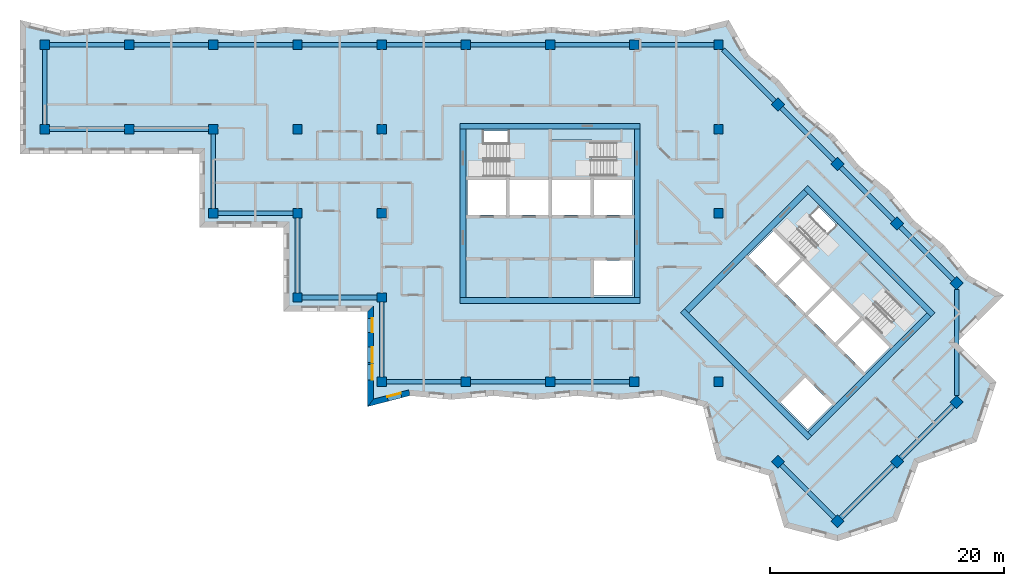
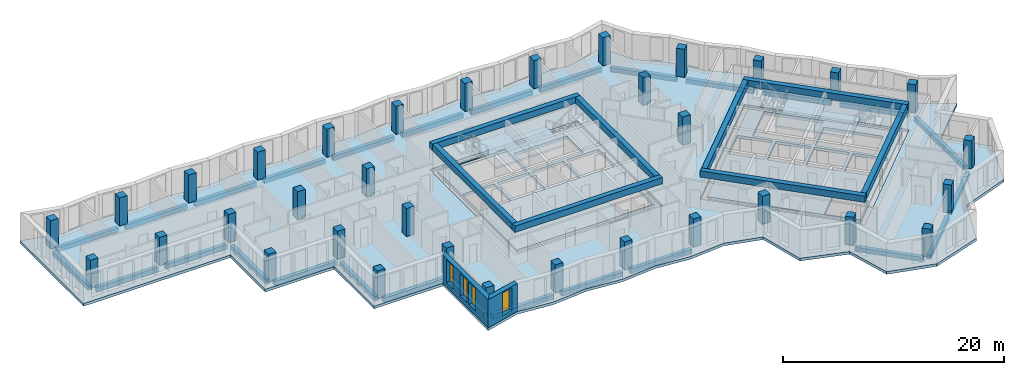
# One storey, part 1 of 11: 35 beams, 34 columns, 7 slabs, 4 windows, 2 walls, 20 openings, 4 elements without a shape of their own.
"""IFC4 building model written with IfcOpenShell, lengths in metres."""

from ifc_helpers import new_model, si_unit, direction, frame, frame_2d, origin, origin_2d, place, context, subcontext, project, spatial, polyline, rectangle, outline, extrude, material, layer, layer_set, material_profile, profile_set, type_object, element, fill, aggregate, save


model = new_model("IFC4")

# Units and contexts
model_context = context("Model", 3, precision=1e-05, world=origin(), true_north=direction((0.0, 1.0)))
body_context = subcontext(model_context, "Body", "Model", "MODEL_VIEW")
ifc_project = project(units=[si_unit("LENGTHUNIT", "METRE"), si_unit("AREAUNIT", "SQUARE_METRE"), si_unit("VOLUMEUNIT", "CUBIC_METRE"), si_unit("PLANEANGLEUNIT", "RADIAN"), si_unit("MASSUNIT", "GRAM", prefix="KILO")], contexts=[model_context])

# Site, building, storey
site_placement = place(None, origin())
site = spatial("IfcSite", under=ifc_project, at=site_placement, CompositionType="ELEMENT")
building_placement = place(site_placement, origin())
building = spatial("IfcBuilding", under=site, at=building_placement, Name="Windrow Commons", CompositionType="ELEMENT")
storey_placement = place(building_placement, frame((0.0, 0.0, 193.0)))
storey = spatial("IfcBuildingStorey", under=building, at=storey_placement, Name="L52", CompositionType="ELEMENT", Elevation=193.0)

# Columns
ifc_material_1 = material(Name="Concrete C50/60", Category="concrete")
ifc_material_profile_1 = material_profile(ifc_material_1, rectangle(XDim=0.8, YDim=0.8, at=origin_2d()))
ifc_profile_set_1 = profile_set([ifc_material_profile_1], Name="Concrete C50/60")
column_type = type_object("IfcColumnType", Name="RC COLUMN 800x800 C50/60", PredefinedType="COLUMN", material=ifc_profile_set_1)
for number, where, z_axis, x_axis, name in (
    (1, (21.6, 64.8, 0.0), (0.0, 0.0, 1.0), (1.0, 0.0, 0.0), "C-Z4-04I"),
    (2, (21.6, 72.0, 0.0), (0.0, 0.0, 1.0), (1.0, 0.0, 0.0), "C-Z4-04J"),
    (3, (28.8, 64.8, 0.0), (0.0, 0.0, 1.0), (1.0, 0.0, 0.0), "C-Z4-05I"),
    (4, (28.8, 72.0, 0.0), (0.0, 0.0, 1.0), (1.0, 0.0, 0.0), "C-Z4-05J"),
    (5, (36.0, 57.6, 0.0), (0.0, 0.0, 1.0), (1.0, 0.0, 0.0), "C-Z4-06H"),
    (6, (36.0, 64.8, 0.0), (0.0, 0.0, 1.0), (1.0, 0.0, 0.0), "C-Z4-06I"),
    (7, (36.0, 72.0, 0.0), (0.0, 0.0, 1.0), (1.0, 0.0, 0.0), "C-Z4-06J"),
    (8, (43.2, 50.4, 0.0), (0.0, 0.0, 1.0), (1.0, 0.0, 0.0), "C-Z4-07G"),
    (9, (43.2, 57.6, 0.0), (0.0, 0.0, 1.0), (1.0, 0.0, 0.0), "C-Z4-07H"),
    (10, (43.2, 64.8, 0.0), (0.0, 0.0, 1.0), (1.0, 0.0, 0.0), "C-Z4-07I"),
    (11, (43.2, 72.0, 0.0), (0.0, 0.0, 1.0), (1.0, 0.0, 0.0), "C-Z4-07J"),
    (12, (50.4, 43.2, 0.0), (0.0, 0.0, 1.0), (1.0, 0.0, 0.0), "C-Z4-08F"),
    (13, (50.4, 50.4, 0.0), (0.0, 0.0, 1.0), (1.0, 0.0, 0.0), "C-Z4-08G"),
    (14, (50.4, 57.6, 0.0), (0.0, 0.0, 1.0), (1.0, 0.0, 0.0), "C-Z4-08H"),
    (15, (50.4, 64.8, 0.0), (0.0, 0.0, 1.0), (1.0, 0.0, 0.0), "C-Z4-08I"),
    (16, (50.4, 72.0, 0.0), (0.0, 0.0, 1.0), (1.0, 0.0, 0.0), "C-Z4-08J"),
    (17, (57.6, 43.2, 0.0), (0.0, 0.0, 1.0), (1.0, 0.0, 0.0), "C-Z4-09F"),
    (18, (57.6, 72.0, 0.0), (0.0, 0.0, 1.0), (1.0, 0.0, 0.0), "C-Z4-09J"),
    (19, (64.8, 43.2, 0.0), (0.0, 0.0, 1.0), (1.0, 0.0, 0.0), "C-Z4-10F"),
    (20, (64.8, 72.0, 0.0), (0.0, 0.0, 1.0), (1.0, 0.0, 0.0), "C-Z4-10J"),
    (21, (72.0, 43.2, 0.0), (0.0, 0.0, 1.0), (1.0, 0.0, 0.0), "C-Z4-11F"),
    (22, (72.0, 72.0, 0.0), (0.0, 0.0, 1.0), (1.0, 0.0, 0.0), "C-Z4-11J"),
    (23, (79.2, 43.2, 0.0), (0.0, 0.0, 1.0), (1.0, 0.0, 0.0), "C-Z4-12F"),
    (24, (79.2, 57.6, 0.0), (0.0, 0.0, 1.0), (1.0, 0.0, 0.0), "C-Z4-12H"),
    (25, (79.2, 64.8, 0.0), (0.0, 0.0, 1.0), (1.0, 0.0, 0.0), "C-Z4-12I"),
    (26, (79.2, 72.0, 0.0), (0.0, 0.0, 1.0), (1.0, 0.0, 0.0), "C-Z4-12J"),
    (27, (84.2912, 66.9088, 0.0), (0.0, 0.0, 1.0), (0.7071067812, -0.7071067812, 0.0), "C-Z4-P2Q"),
    (28, (89.3823, 61.8177, 0.0), (0.0, 0.0, 1.0), (0.7071067812, -0.7071067812, 0.0), "C-Z4-P3Q"),
    (29, (94.4735, 56.7265, 0.0), (0.0, 0.0, 1.0), (0.7071067812, -0.7071067812, 0.0), "C-Z4-P4Q"),
    (30, (99.5647, 51.6353, 0.0), (0.0, 0.0, 1.0), (0.7071067812, -0.7071067812, 0.0), "C-Z4-P5Q"),
    (31, (84.2912, 36.3618, 0.0), (0.0, 0.0, 1.0), (0.7071067812, -0.7071067812, 0.0), "C-Z4-P5T"),
    (32, (99.5647, 41.453, 0.0), (0.0, 0.0, 1.0), (0.7071067812, -0.7071067812, 0.0), "C-Z4-P6R"),
    (33, (94.4735, 36.3618, 0.0), (0.0, 0.0, 1.0), (0.7071067812, -0.7071067812, 0.0), "C-Z4-P6S"),
    (34, (89.3823, 31.2706, 0.0), (0.0, 0.0, 1.0), (0.7071067812, -0.7071067812, 0.0), "C-Z4-P6T"),
):
    element("IfcColumn", number, at=place(storey_placement, frame(where, z_axis=z_axis, x_axis=x_axis)), inside=storey, type_object=column_type, Name=name, PredefinedType="COLUMN", context=body_context, shape_type="SweptSolid", body=[
        extrude(rectangle(XDim=0.8, YDim=0.8, at=origin_2d()), origin(), (0.0, 0.0, 1.0), 3.1),
    ])

# Beams
ifc_material_2 = material(Name="Concrete C40/50", Category="concrete")
ifc_material_profile_2 = material_profile(ifc_material_2, rectangle(XDim=0.5, YDim=0.7, at=origin_2d()))
ifc_profile_set_2 = profile_set([ifc_material_profile_2], Name="Concrete C40/50")
beam_type_1 = type_object("IfcBeamType", Name="RC COUPLING BEAM 500x700 C40/50", PredefinedType="LINTEL", material=ifc_profile_set_2)
for number, where, z_axis, x_axis, name in (
    (35, (57.1, 50.15, 2.75), (1.0, 0.0, 0.0), (0.0, 1.0, 0.0), "Core A coupling beam outer-S"),
    (36, (57.1, 65.05, 2.75), (1.0, 0.0, 0.0), (0.0, 1.0, 0.0), "Core A coupling beam outer-N"),
):
    element("IfcBeam", number, at=place(storey_placement, frame(where, z_axis=z_axis, x_axis=x_axis)), inside=storey, type_object=beam_type_1, Name=name, PredefinedType="LINTEL", context=body_context, shape_type="SweptSolid", body=[
        extrude(rectangle(XDim=0.5, YDim=0.7, at=origin_2d()), origin(), (0.0, 0.0, 1.0), 15.4),
    ])
for number, where, z_axis, x_axis, name in (
    (37, (57.35, 50.4, 2.75), (0.0, 1.0, 0.0), (-1.0, 0.0, 0.0), "Core A coupling beam outer-W"),
    (38, (72.25, 50.4, 2.75), (0.0, 1.0, 0.0), (-1.0, 0.0, 0.0), "Core A coupling beam outer-E"),
):
    element("IfcBeam", number, at=place(storey_placement, frame(where, z_axis=z_axis, x_axis=x_axis)), inside=storey, type_object=beam_type_1, Name=name, PredefinedType="LINTEL", context=body_context, shape_type="SweptSolid", body=[
        extrude(rectangle(XDim=0.5, YDim=0.7, at=origin_2d()), origin(), (0.0, 0.0, 1.0), 14.4),
    ])
for number, where, z_axis, x_axis, name in (
    (39, (76.1241, 49.2665, 2.75), (0.7071067812, -0.7071067812, 0.0), (0.7071067812, 0.7071067812, 0.0), "Core B coupling beam outer-S"),
    (40, (86.66, 59.8024, 2.75), (0.7071067812, -0.7071067812, 0.0), (0.7071067812, 0.7071067812, 0.0), "Core B coupling beam outer-N"),
):
    element("IfcBeam", number, at=place(storey_placement, frame(where, z_axis=z_axis, x_axis=x_axis)), inside=storey, type_object=beam_type_1, Name=name, PredefinedType="LINTEL", context=body_context, shape_type="SweptSolid", body=[
        extrude(rectangle(XDim=0.5, YDim=0.7, at=origin_2d()), origin(), (0.0, 0.0, 1.0), 15.3999),
    ])
for number, where, z_axis, x_axis, name in (
    (41, (76.4776, 49.2665, 2.75), (0.7071067812, 0.7071067812, 0.0), (-0.7071067812, 0.7071067812, 0.0), "Core B coupling beam outer-W"),
    (42, (87.0135, 38.7306, 2.75), (0.7071067812, 0.7071067812, 0.0), (-0.7071067812, 0.7071067812, 0.0), "Core B coupling beam outer-E"),
):
    element("IfcBeam", number, at=place(storey_placement, frame(where, z_axis=z_axis, x_axis=x_axis)), inside=storey, type_object=beam_type_1, Name=name, PredefinedType="LINTEL", context=body_context, shape_type="SweptSolid", body=[
        extrude(rectangle(XDim=0.5, YDim=0.7, at=origin_2d()), origin(), (0.0, 0.0, 1.0), 14.4001),
    ])
ifc_material_3 = material(Name="Concrete C40/50", Category="concrete")
ifc_material_profile_3 = material_profile(ifc_material_3, rectangle(XDim=0.4, YDim=0.5, at=origin_2d()))
ifc_profile_set_3 = profile_set([ifc_material_profile_3], Name="Concrete C40/50")
beam_type_2 = type_object("IfcBeamType", Name="RC EDGE BEAM 400x500 C40/50", PredefinedType="SPANDREL", material=ifc_profile_set_3)
for number, where, z_axis, x_axis, name in (
    (43, (57.2, 43.2, -0.55), (-1.0, 0.0, 0.0), (0.0, -1.0, 0.0), "Edge beam L52 001"),
    (44, (50.4, 43.6, -0.55), (0.0, 1.0, 0.0), (-1.0, 0.0, 0.0), "Edge beam L52 002"),
    (45, (50.0, 50.4, -0.55), (-1.0, 0.0, 0.0), (0.0, -1.0, 0.0), "Edge beam L52 003"),
    (46, (43.2, 50.8, -0.55), (0.0, 1.0, 0.0), (-1.0, 0.0, 0.0), "Edge beam L52 004"),
    (47, (42.8, 57.6, -0.55), (-1.0, 0.0, 0.0), (0.0, -1.0, 0.0), "Edge beam L52 005"),
    (48, (36.0, 58.0, -0.55), (0.0, 1.0, 0.0), (-1.0, 0.0, 0.0), "Edge beam L52 006"),
    (49, (35.6, 64.8, -0.55), (-1.0, 0.0, 0.0), (0.0, -1.0, 0.0), "Edge beam L52 007"),
    (50, (28.4, 64.8, -0.55), (-1.0, 0.0, 0.0), (0.0, -1.0, 0.0), "Edge beam L52 008"),
    (51, (21.6, 65.2, -0.55), (0.0, 1.0, 0.0), (-1.0, 0.0, 0.0), "Edge beam L52 009"),
    (52, (22.0, 72.0, -0.55), (1.0, 0.0, 0.0), (0.0, 1.0, 0.0), "Edge beam L52 010"),
    (53, (29.2, 72.0, -0.55), (1.0, 0.0, 0.0), (0.0, 1.0, 0.0), "Edge beam L52 011"),
    (54, (36.4, 72.0, -0.55), (1.0, 0.0, 0.0), (0.0, 1.0, 0.0), "Edge beam L52 012"),
    (55, (43.6, 72.0, -0.55), (1.0, 0.0, 0.0), (0.0, 1.0, 0.0), "Edge beam L52 013"),
    (56, (50.8, 72.0, -0.55), (1.0, 0.0, 0.0), (0.0, 1.0, 0.0), "Edge beam L52 014"),
    (57, (58.0, 72.0, -0.55), (1.0, 0.0, 0.0), (0.0, 1.0, 0.0), "Edge beam L52 015"),
    (58, (65.2, 72.0, -0.55), (1.0, 0.0, 0.0), (0.0, 1.0, 0.0), "Edge beam L52 016"),
    (59, (72.4, 72.0, -0.55), (1.0, 0.0, 0.0), (0.0, 1.0, 0.0), "Edge beam L52 017"),
):
    element("IfcBeam", number, at=place(storey_placement, frame(where, z_axis=z_axis, x_axis=x_axis)), inside=storey, type_object=beam_type_2, Name=name, PredefinedType="SPANDREL", context=body_context, shape_type="SweptSolid", body=[
        extrude(rectangle(XDim=0.4, YDim=0.5, at=origin_2d()), origin(), (0.0, 0.0, 1.0), 6.4),
    ])
beam_1_placement = place(storey_placement, frame((79.6, 71.6, -0.55), z_axis=(0.7071067812, -0.7071067812, 0.0), x_axis=(0.7071067812, 0.7071067812, 0.0)))
element("IfcBeam", 60, at=beam_1_placement, inside=storey, type_object=beam_type_2, Name="Edge beam L52 018", PredefinedType="SPANDREL", context=body_context, shape_type="SweptSolid", body=[
    extrude(rectangle(XDim=0.4, YDim=0.5, at=origin_2d()), origin(), (0.0, 0.0, 1.0), 6.2344),
])
beam_2_placement = place(storey_placement, frame((84.574, 66.626, -0.55), z_axis=(0.7071067812, -0.7071067812, 0.0), x_axis=(0.7071067812, 0.7071067812, 0.0)))
element("IfcBeam", 61, at=beam_2_placement, inside=storey, type_object=beam_type_2, Name="Edge beam L52 019", PredefinedType="SPANDREL", context=body_context, shape_type="SweptSolid", body=[
    extrude(rectangle(XDim=0.4, YDim=0.5, at=origin_2d()), origin(), (0.0, 0.0, 1.0), 6.4),
])
for number, where, z_axis, x_axis, name in (
    (62, (89.6651, 61.5349, -0.55), (0.7071067812, -0.7071067812, 0.0), (0.7071067812, 0.7071067812, 0.0), "Edge beam L52 020"),
    (63, (94.7563, 56.4437, -0.55), (0.7071067812, -0.7071067812, 0.0), (0.7071067812, 0.7071067812, 0.0), "Edge beam L52 021"),
):
    element("IfcBeam", number, at=place(storey_placement, frame(where, z_axis=z_axis, x_axis=x_axis)), inside=storey, type_object=beam_type_2, Name=name, PredefinedType="SPANDREL", context=body_context, shape_type="SweptSolid", body=[
        extrude(rectangle(XDim=0.4, YDim=0.5, at=origin_2d()), origin(), (0.0, 0.0, 1.0), 6.4002),
    ])
beam_3_placement = place(storey_placement, frame((99.5647, 51.0696, -0.55), z_axis=(0.0, -1.0, 0.0), x_axis=(1.0, 0.0, 0.0)))
element("IfcBeam", 64, at=beam_3_placement, inside=storey, type_object=beam_type_2, Name="Edge beam L52 022", PredefinedType="SPANDREL", context=body_context, shape_type="SweptSolid", body=[
    extrude(rectangle(XDim=0.4, YDim=0.5, at=origin_2d()), origin(), (0.0, 0.0, 1.0), 9.0509),
])
for number, where, z_axis, x_axis, name in (
    (65, (99.2819, 41.1702, -0.55), (-0.7071067812, -0.7071067812, 0.0), (0.7071067812, -0.7071067812, 0.0), "Edge beam L52 023"),
    (66, (94.1907, 36.079, -0.55), (-0.7071067812, -0.7071067812, 0.0), (0.7071067812, -0.7071067812, 0.0), "Edge beam L52 024"),
):
    element("IfcBeam", number, at=place(storey_placement, frame(where, z_axis=z_axis, x_axis=x_axis)), inside=storey, type_object=beam_type_2, Name=name, PredefinedType="SPANDREL", context=body_context, shape_type="SweptSolid", body=[
        extrude(rectangle(XDim=0.4, YDim=0.5, at=origin_2d()), origin(), (0.0, 0.0, 1.0), 6.4002),
    ])
beam_4_placement = place(storey_placement, frame((89.0995, 31.5534, -0.55), z_axis=(-0.7070989688, 0.7071145935, 0.0), x_axis=(-0.7071145935, -0.7070989688, 0.0)))
element("IfcBeam", 67, at=beam_4_placement, inside=storey, type_object=beam_type_2, Name="Edge beam L52 025", PredefinedType="SPANDREL", context=body_context, shape_type="SweptSolid", body=[
    extrude(rectangle(XDim=0.4, YDim=0.5, at=origin_2d()), origin(), (0.0, 0.0, 1.0), 6.4001),
])
for number, where, z_axis, x_axis, name in (
    (68, (71.6, 43.2, -0.55), (-1.0, 0.0, 0.0), (0.0, -1.0, 0.0), "Edge beam L52 026"),
    (69, (64.4, 43.2, -0.55), (-1.0, 0.0, 0.0), (0.0, -1.0, 0.0), "Edge beam L52 027"),
):
    element("IfcBeam", number, at=place(storey_placement, frame(where, z_axis=z_axis, x_axis=x_axis)), inside=storey, type_object=beam_type_2, Name=name, PredefinedType="SPANDREL", context=body_context, shape_type="SweptSolid", body=[
        extrude(rectangle(XDim=0.4, YDim=0.5, at=origin_2d()), origin(), (0.0, 0.0, 1.0), 6.4),
    ])

# Slab, openings
ifc_material_4 = material(Name="Concrete C40/50", Category="concrete")
ifc_layer_1 = layer(ifc_material_4, 0.3)
ifc_layer_set_1 = layer_set([ifc_layer_1], Name="CORE FLOOR SLAB 300 C40/50")
slab_type_1 = type_object("IfcSlabType", Name="CORE FLOOR SLAB 300 C40/50", PredefinedType="FLOOR", material=ifc_layer_set_1)
placement_1 = place(storey_placement, frame((0.0, 0.0, -0.3)))
slab_1 = element("IfcSlab", 70, at=placement_1, inside=storey, type_object=slab_type_1, Name="S-L52-core-A", PredefinedType="FLOOR", context=body_context, shape_type="SweptSolid", body=[
    extrude(outline(polyline([(57.6, 50.4), (72.0, 50.4), (72.0, 64.8), (57.6, 64.8), (57.6, 50.4)]), holes=[polyline([(68.55, 50.55), (71.85, 50.55), (71.85, 53.55), (68.55, 53.55), (68.55, 50.55)]), polyline([(57.75, 57.45), (61.05, 57.45), (61.05, 60.45), (57.75, 60.45), (57.75, 57.45)]), polyline([(61.35, 57.45), (64.65, 57.45), (64.65, 60.45), (61.35, 60.45), (61.35, 57.45)]), polyline([(64.95, 57.45), (68.25, 57.45), (68.25, 60.45), (64.95, 60.45), (64.95, 57.45)]), polyline([(68.55, 57.45), (71.85, 57.45), (71.85, 60.45), (68.55, 60.45), (68.55, 57.45)]), polyline([(59.1, 60.75), (64.65, 60.75), (64.65, 64.65), (59.1, 64.65), (59.1, 60.75)]), polyline([(64.95, 60.75), (70.5, 60.75), (70.5, 63.705), (64.95, 63.705), (64.95, 60.75)])]), origin(), (0.0, 0.0, 1.0), 0.3),
])
opening_1_placement = place(placement_1, origin())
element("IfcOpeningElement", 71, at=opening_1_placement, cuts=slab_1, Name="Slab opening S-L52-core-A 1", PredefinedType="OPENING", context=body_context, shape_type="SweptSolid", body=[
    extrude(outline(polyline([(68.555, 50.555), (68.555, 53.545), (71.845, 53.545), (71.845, 50.555), (68.555, 50.555)])), origin(), (0.0, 0.0, 1.0), 0.3),
])
opening_2_placement = place(placement_1, origin())
element("IfcOpeningElement", 72, at=opening_2_placement, cuts=slab_1, Name="Slab opening S-L52-core-A 2", PredefinedType="OPENING", context=body_context, shape_type="SweptSolid", body=[
    extrude(outline(polyline([(57.755, 57.455), (57.755, 60.445), (61.045, 60.445), (61.045, 57.455), (57.755, 57.455)])), origin(), (0.0, 0.0, 1.0), 0.3),
])
opening_3_placement = place(placement_1, origin())
element("IfcOpeningElement", 73, at=opening_3_placement, cuts=slab_1, Name="Slab opening S-L52-core-A 3", PredefinedType="OPENING", context=body_context, shape_type="SweptSolid", body=[
    extrude(outline(polyline([(61.355, 57.455), (61.355, 60.445), (64.645, 60.445), (64.645, 57.455), (61.355, 57.455)])), origin(), (0.0, 0.0, 1.0), 0.3),
])
opening_4_placement = place(placement_1, origin())
element("IfcOpeningElement", 74, at=opening_4_placement, cuts=slab_1, Name="Slab opening S-L52-core-A 4", PredefinedType="OPENING", context=body_context, shape_type="SweptSolid", body=[
    extrude(outline(polyline([(64.955, 57.455), (64.955, 60.445), (68.245, 60.445), (68.245, 57.455), (64.955, 57.455)])), origin(), (0.0, 0.0, 1.0), 0.3),
])
opening_5_placement = place(placement_1, origin())
element("IfcOpeningElement", 75, at=opening_5_placement, cuts=slab_1, Name="Slab opening S-L52-core-A 5", PredefinedType="OPENING", context=body_context, shape_type="SweptSolid", body=[
    extrude(outline(polyline([(68.555, 57.455), (68.555, 60.445), (71.845, 60.445), (71.845, 57.455), (68.555, 57.455)])), origin(), (0.0, 0.0, 1.0), 0.3),
])
opening_6_placement = place(placement_1, origin())
element("IfcOpeningElement", 76, at=opening_6_placement, cuts=slab_1, Name="Slab opening S-L52-core-A 6", PredefinedType="OPENING", context=body_context, shape_type="SweptSolid", body=[
    extrude(outline(polyline([(59.105, 60.755), (59.105, 64.645), (64.645, 64.645), (64.645, 60.755), (59.105, 60.755)])), origin(), (0.0, 0.0, 1.0), 0.3),
])
opening_7_placement = place(placement_1, origin())
element("IfcOpeningElement", 77, at=opening_7_placement, cuts=slab_1, Name="Slab opening S-L52-core-A 7", PredefinedType="OPENING", context=body_context, shape_type="SweptSolid", body=[
    extrude(outline(polyline([(64.955, 60.755), (64.955, 63.7), (70.495, 63.7), (70.495, 60.755), (64.955, 60.755)])), origin(), (0.0, 0.0, 1.0), 0.3),
])

slab_2 = element("IfcSlab", 78, at=placement_1, inside=storey, type_object=slab_type_1, Name="S-L52-core-B", PredefinedType="FLOOR", context=body_context, shape_type="SweptSolid", body=[
    extrude(outline(polyline([(76.6544, 49.0897), (86.8368, 38.9074), (97.0191, 49.0897), (86.8368, 59.2721), (76.6544, 49.0897)]), holes=[polyline([(84.5033, 41.453), (86.8368, 39.1195), (88.9581, 41.2409), (86.6246, 43.5743), (84.5033, 41.453)]), polyline([(81.7456, 53.9688), (84.079, 51.6353), (86.2004, 53.7566), (83.8669, 56.0901), (81.7456, 53.9688)]), polyline([(84.2912, 51.4232), (86.6246, 49.0897), (88.7459, 51.2111), (86.4125, 53.5445), (84.2912, 51.4232)]), polyline([(86.8368, 48.8776), (89.1702, 46.5442), (91.2915, 48.6655), (88.9581, 50.9989), (86.8368, 48.8776)]), polyline([(89.3823, 46.332), (91.7158, 43.9986), (93.8371, 46.1199), (91.5037, 48.4533), (89.3823, 46.332)]), polyline([(85.0336, 55.3476), (88.9581, 51.4232), (91.7158, 54.1809), (87.7913, 58.1054), (85.0336, 55.3476)]), polyline([(89.1702, 51.2111), (93.0946, 47.2866), (95.1841, 49.3761), (91.2597, 53.3006), (89.1702, 51.2111)])]), origin(), (0.0, 0.0, 1.0), 0.3),
])
opening_8_placement = place(placement_1, origin())
element("IfcOpeningElement", 79, at=opening_8_placement, cuts=slab_2, Name="Slab opening S-L52-core-B 1", PredefinedType="OPENING", context=body_context, shape_type="SweptSolid", body=[
    extrude(outline(polyline([(84.5104, 41.453), (86.6246, 43.5672), (88.951, 41.2409), (86.8368, 39.1266), (84.5104, 41.453)])), origin(), (0.0, 0.0, 1.0), 0.3),
])
opening_9_placement = place(placement_1, origin())
element("IfcOpeningElement", 80, at=opening_9_placement, cuts=slab_2, Name="Slab opening S-L52-core-B 2", PredefinedType="OPENING", context=body_context, shape_type="SweptSolid", body=[
    extrude(outline(polyline([(81.7527, 53.9688), (83.8669, 56.083), (86.1933, 53.7566), (84.079, 51.6424), (81.7527, 53.9688)])), origin(), (0.0, 0.0, 1.0), 0.3),
])
opening_10_placement = place(placement_1, origin())
element("IfcOpeningElement", 81, at=opening_10_placement, cuts=slab_2, Name="Slab opening S-L52-core-B 3", PredefinedType="OPENING", context=body_context, shape_type="SweptSolid", body=[
    extrude(outline(polyline([(84.2983, 51.4232), (86.4125, 53.5374), (88.7388, 51.2111), (86.6246, 49.0968), (84.2983, 51.4232)])), origin(), (0.0, 0.0, 1.0), 0.3),
])
opening_11_placement = place(placement_1, origin())
element("IfcOpeningElement", 82, at=opening_11_placement, cuts=slab_2, Name="Slab opening S-L52-core-B 4", PredefinedType="OPENING", context=body_context, shape_type="SweptSolid", body=[
    extrude(outline(polyline([(86.8439, 48.8776), (88.9581, 50.9918), (91.2844, 48.6655), (89.1702, 46.5513), (86.8439, 48.8776)])), origin(), (0.0, 0.0, 1.0), 0.3),
])
opening_12_placement = place(placement_1, origin())
element("IfcOpeningElement", 83, at=opening_12_placement, cuts=slab_2, Name="Slab opening S-L52-core-B 5", PredefinedType="OPENING", context=body_context, shape_type="SweptSolid", body=[
    extrude(outline(polyline([(89.3894, 46.332), (91.5037, 48.4462), (93.83, 46.1199), (91.7158, 44.0057), (89.3894, 46.332)])), origin(), (0.0, 0.0, 1.0), 0.3),
])
opening_13_placement = place(placement_1, origin())
element("IfcOpeningElement", 84, at=opening_13_placement, cuts=slab_2, Name="Slab opening S-L52-core-B 6", PredefinedType="OPENING", context=body_context, shape_type="SweptSolid", body=[
    extrude(outline(polyline([(85.0407, 55.3476), (87.7913, 58.0983), (91.7087, 54.1809), (88.9581, 51.4303), (85.0407, 55.3476)])), origin(), (0.0, 0.0, 1.0), 0.3),
])
opening_14_placement = place(placement_1, origin())
element("IfcOpeningElement", 85, at=opening_14_placement, cuts=slab_2, Name="Slab opening S-L52-core-B 7", PredefinedType="OPENING", context=body_context, shape_type="SweptSolid", body=[
    extrude(outline(polyline([(89.1773, 51.2111), (91.2597, 53.2935), (95.177, 49.3761), (93.0946, 47.2937), (89.1773, 51.2111)])), origin(), (0.0, 0.0, 1.0), 0.3),
])

# Stair, slab
ifc_material_5 = material(Name="Concrete C40/50", Category="concrete")
stair_type = type_object("IfcStairType", Name="Core stair", PredefinedType="HALF_TURN_STAIR", material=ifc_material_5)
placement_2 = place(storey_placement, origin())
stair_1 = element("IfcStair", 86, at=placement_2, inside=storey, type_object=stair_type, Name="L52 Exit stair A1 core A", PredefinedType="HALF_TURN_STAIR")
ifc_material_6 = material(Name="Concrete C40/50", Category="concrete")
ifc_layer_2 = layer(ifc_material_6, 0.2)
ifc_layer_set_2 = layer_set([ifc_layer_2], Name="Core stair landing")
slab_type_2 = type_object("IfcSlabType", Name="Core stair landing", PredefinedType="LANDING", material=ifc_layer_set_2)
placement_3 = place(storey_placement, frame((0.0, 0.0, 1.5)))
slab_3 = element("IfcSlab", 87, at=placement_3, type_object=slab_type_2, Name="ST-A1 landing 1", PredefinedType="LANDING", context=body_context, shape_type="SweptSolid", body=[
    extrude(outline(polyline([(61.22, 60.5), (64.8, 60.5), (64.8, 64.9), (61.22, 64.9), (61.22, 60.5)])), origin(), (0.0, 0.0, 1.0), 0.2),
])
aggregate(stair_1, [slab_3])

stair_2 = element("IfcStair", 88, at=placement_2, inside=storey, type_object=stair_type, Name="L52 Exit stair A2 core A", PredefinedType="HALF_TURN_STAIR")
slab_4 = element("IfcSlab", 89, at=placement_3, type_object=slab_type_2, Name="ST-A2 landing 1", PredefinedType="LANDING", context=body_context, shape_type="SweptSolid", body=[
    extrude(outline(polyline([(64.8, 60.5), (68.38, 60.5), (68.38, 63.855), (64.8, 63.855), (64.8, 60.5)])), origin(), (0.0, 0.0, 1.0), 0.2),
])
aggregate(stair_2, [slab_4])

stair_3 = element("IfcStair", 90, at=placement_2, inside=storey, type_object=stair_type, Name="L52 Exit stair B1 core B", PredefinedType="HALF_TURN_STAIR")
slab_5 = element("IfcSlab", 91, at=placement_3, type_object=slab_type_2, Name="ST-B1 landing 1", PredefinedType="LANDING", context=body_context, shape_type="SweptSolid", body=[
    extrude(outline(polyline([(86.3559, 53.6718), (88.8874, 51.1403), (91.9986, 54.2516), (89.4672, 56.7831), (86.3559, 53.6718)])), origin(), (0.0, 0.0, 1.0), 0.2),
])
aggregate(stair_3, [slab_5])

stair_4 = element("IfcStair", 92, at=placement_2, inside=storey, type_object=stair_type, Name="L52 Exit stair B2 core B", PredefinedType="HALF_TURN_STAIR")
slab_6 = element("IfcSlab", 93, at=placement_3, type_object=slab_type_2, Name="ST-B2 landing 1", PredefinedType="LANDING", context=body_context, shape_type="SweptSolid", body=[
    extrude(outline(polyline([(88.8874, 51.1403), (91.4188, 48.6089), (93.7911, 50.9812), (91.2597, 53.5127), (88.8874, 51.1403)])), origin(), (0.0, 0.0, 1.0), 0.2),
])
aggregate(stair_4, [slab_6])

# Slab, openings
ifc_material_7 = material(Name="Concrete C40/50", Category="concrete")
ifc_layer_3 = layer(ifc_material_7, 0.3)
ifc_layer_set_3 = layer_set([ifc_layer_3], Name="FLOOR SLAB 300 C40/50")
slab_type_3 = type_object("IfcSlabType", Name="FLOOR SLAB 300 C40/50", PredefinedType="FLOOR", material=ifc_layer_set_3)
slab_7 = element("IfcSlab", 94, at=placement_1, inside=storey, type_object=slab_type_3, Name="S-L52-floor", PredefinedType="FLOOR", context=body_context, shape_type="SweptSolid", body=[
    extrude(outline(polyline([(84.8111, 30.7506), (89.3823, 29.5736), (94.4735, 31.2706), (96.312, 36.2204), (101.2617, 38.0588), (102.9588, 43.15), (99.5647, 46.5442), (103.6164, 50.5959), (100.6054, 52.2917), (98.4853, 54.8785), (95.8986, 56.9985), (93.7785, 59.5853), (91.1918, 61.7053), (89.0717, 64.2921), (86.4849, 66.4122), (84.3649, 68.9989), (81.7781, 71.119), (80.0823, 74.13), (76.294, 73.2), (72.5058, 73.53), (68.7175, 73.2), (64.9292, 73.53), (61.141, 73.2), (57.3527, 73.53), (53.5644, 73.2), (49.7762, 73.53), (45.9879, 73.2), (42.1996, 73.53), (38.4113, 73.2), (34.6231, 73.53), (30.8348, 73.2), (27.0465, 73.53), (23.2583, 73.2), (19.47, 74.13), (19.47, 62.67), (34.8, 62.67), (34.8, 56.4), (42.0, 56.4), (42.0, 49.2), (49.2, 49.2), (49.2, 41.07), (52.7857, 42.0), (56.3715, 41.67), (59.9572, 42.0), (63.5429, 41.67), (67.1287, 42.0), (70.7144, 41.67), (74.3002, 42.0), (77.8859, 41.07), (79.0629, 36.4988), (83.4927, 35.1804), (84.8111, 30.7506)]), holes=[polyline([(75.9473, 49.0897), (86.8368, 59.9792), (97.7262, 49.0897), (86.8368, 38.2003), (75.9473, 49.0897)]), polyline([(57.1, 49.9), (57.1, 65.3), (72.5, 65.3), (72.5, 49.9), (57.1, 49.9)])]), origin(), (0.0, 0.0, 1.0), 0.3),
])
opening_15_placement = place(placement_1, origin())
element("IfcOpeningElement", 95, at=opening_15_placement, cuts=slab_7, Name="Slab opening S-L52-floor 1", PredefinedType="OPENING", context=body_context, shape_type="SweptSolid", body=[
    extrude(outline(polyline([(75.9544, 49.0897), (86.8368, 59.9721), (97.7191, 49.0897), (86.8368, 38.2074), (75.9544, 49.0897)])), origin(), (0.0, 0.0, 1.0), 0.3),
])
opening_16_placement = place(placement_1, origin())
element("IfcOpeningElement", 96, at=opening_16_placement, cuts=slab_7, Name="Slab opening S-L52-floor 2", PredefinedType="OPENING", context=body_context, shape_type="SweptSolid", body=[
    extrude(outline(polyline([(57.105, 49.905), (57.105, 65.295), (72.495, 65.295), (72.495, 49.905), (57.105, 49.905)])), origin(), (0.0, 0.0, 1.0), 0.3),
])

# Wall, openings, windows
ifc_material_8 = material(Name="Brick masonry, red clay brick", Category="masonry")
ifc_layer_4 = layer(ifc_material_8, 0.5)
ifc_layer_set_4 = layer_set([ifc_layer_4], Name="Brick facade wall 500")
wall_type = type_object("IfcWallType", Name="Brick facade wall 500", PredefinedType="SOLIDWALL", material=ifc_layer_set_4)
wall_1_placement = place(storey_placement, frame((49.45, 49.45, 0.0), z_axis=(0.0, 0.0, 1.0), x_axis=(0.0, -1.0, 0.0)))
wall_1 = element("IfcWall", 97, at=wall_1_placement, inside=storey, type_object=wall_type, Name="Brick facade wall L52 39", PredefinedType="SOLIDWALL", context=body_context, shape_type="SweptSolid", body=[
    extrude(outline(polyline([(0.25, -0.25), (8.38, -0.25), (7.7338, 0.25), (-0.25, 0.25), (0.25, -0.25)])), origin(), (0.0, 0.0, 1.0), 3.1),
])
opening_17_placement = place(wall_1_placement, frame((3.3, 0.0, 0.45)))
opening_17 = element("IfcOpeningElement", 98, at=opening_17_placement, cuts=wall_1, Name="Opening W1Q", PredefinedType="OPENING", context=body_context, shape_type="SweptSolid", body=[
    extrude(rectangle(XDim=1.3, YDim=2.5, at=frame_2d((0.65, 1.25))), frame((0.0, 0.26, 0.0), z_axis=(0.0, -1.0, 0.0), x_axis=(1.0, 0.0, 0.0)), (0.0, 0.0, 1.0), 0.52),
])
opening_18_placement = place(wall_1_placement, frame((4.8, 0.0, 0.45)))
opening_18 = element("IfcOpeningElement", 99, at=opening_18_placement, cuts=wall_1, Name="Opening W1Q", PredefinedType="OPENING", context=body_context, shape_type="SweptSolid", body=[
    extrude(rectangle(XDim=1.3, YDim=2.5, at=frame_2d((0.65, 1.25))), frame((0.0, 0.26, 0.0), z_axis=(0.0, -1.0, 0.0), x_axis=(1.0, 0.0, 0.0)), (0.0, 0.0, 1.0), 0.52),
])
opening_19_placement = place(wall_1_placement, frame((0.825, 0.0, 0.45)))
opening_19 = element("IfcOpeningElement", 100, at=opening_19_placement, cuts=wall_1, Name="Opening W7E", PredefinedType="OPENING", context=body_context, shape_type="SweptSolid", body=[
    extrude(rectangle(XDim=1.2, YDim=2.5, at=frame_2d((0.6, 1.25))), frame((0.0, 0.26, 0.0), z_axis=(0.0, -1.0, 0.0), x_axis=(1.0, 0.0, 0.0)), (0.0, 0.0, 1.0), 0.52),
])
ifc_material_9 = material(Name="Clear float glass in anodised aluminium frame", Category="aluminium")
window_type_1 = type_object("IfcWindowType", Name="Window W1Q pair 1300x2500", PartitioningType="SINGLE_PANEL", PredefinedType="WINDOW", material=ifc_material_9)
window_1_placement = place(opening_17_placement, origin())
window_1 = element("IfcWindow", 101, at=window_1_placement, inside=storey, type_object=window_type_1, Name="Window L52 39.1A", OverallHeight=2.5, OverallWidth=1.3, PartitioningType="SINGLE_PANEL", PredefinedType="WINDOW", context=body_context, shape_type="SweptSolid", body=[
    extrude(rectangle(XDim=1.3, YDim=2.5, at=frame_2d((0.65, 1.25))), frame((0.0, 0.18, 0.0), z_axis=(0.0, -1.0, 0.0), x_axis=(1.0, 0.0, 0.0)), (0.0, 0.0, 1.0), 0.06),
])
fill(opening_17, window_1)
window_2_placement = place(opening_18_placement, origin())
window_2 = element("IfcWindow", 102, at=window_2_placement, inside=storey, type_object=window_type_1, Name="Window L52 39.1B", OverallHeight=2.5, OverallWidth=1.3, PartitioningType="SINGLE_PANEL", PredefinedType="WINDOW", context=body_context, shape_type="SweptSolid", body=[
    extrude(rectangle(XDim=1.3, YDim=2.5, at=frame_2d((0.65, 1.25))), frame((0.0, 0.18, 0.0), z_axis=(0.0, -1.0, 0.0), x_axis=(1.0, 0.0, 0.0)), (0.0, 0.0, 1.0), 0.06),
])
fill(opening_18, window_2)
ifc_material_10 = material(Name="Clear float glass in anodised aluminium frame", Category="aluminium")
window_type_2 = type_object("IfcWindowType", Name="Window W7 notch 1200x2500", PartitioningType="SINGLE_PANEL", PredefinedType="WINDOW", material=ifc_material_10)
window_3_placement = place(opening_19_placement, origin())
window_3 = element("IfcWindow", 103, at=window_3_placement, inside=storey, type_object=window_type_2, Name="Window L52 39.2", OverallHeight=2.5, OverallWidth=1.2, PartitioningType="SINGLE_PANEL", PredefinedType="WINDOW", context=body_context, shape_type="SweptSolid", body=[
    extrude(rectangle(XDim=1.2, YDim=2.5, at=frame_2d((0.6, 1.25))), frame((0.0, 0.18, 0.0), z_axis=(0.0, -1.0, 0.0), x_axis=(1.0, 0.0, 0.0)), (0.0, 0.0, 1.0), 0.06),
])
fill(opening_19, window_3)

# Wall, opening, window
wall_2_placement = place(storey_placement, frame((49.45, 41.3931, 0.0), z_axis=(0.0, 0.0, 1.0), x_axis=(0.9679753526, 0.2510452486, 0.0)))
wall_2 = element("IfcWall", 104, at=wall_2_placement, inside=storey, type_object=wall_type, Name="Brick facade wall L52 40", PredefinedType="SOLIDWALL", context=body_context, shape_type="SweptSolid", body=[
    extrude(outline(polyline([(-0.3231, -0.25), (3.3813, -0.25), (3.4685, 0.25), (0.3231, 0.25), (-0.3231, -0.25)])), origin(), (0.0, 0.0, 1.0), 3.1),
])
opening_20_placement = place(wall_2_placement, frame((1.5032, 0.0, 0.45)))
opening_20 = element("IfcOpeningElement", 105, at=opening_20_placement, cuts=wall_2, Name="Opening W7E", PredefinedType="OPENING", context=body_context, shape_type="SweptSolid", body=[
    extrude(rectangle(XDim=1.2, YDim=2.5, at=frame_2d((0.6, 1.25))), frame((0.0, 0.26, 0.0), z_axis=(0.0, -1.0, 0.0), x_axis=(1.0, 0.0, 0.0)), (0.0, 0.0, 1.0), 0.52),
])
window_4_placement = place(opening_20_placement, origin())
window_4 = element("IfcWindow", 106, at=window_4_placement, inside=storey, type_object=window_type_2, Name="Window L52 40.1", OverallHeight=2.5, OverallWidth=1.2, PartitioningType="SINGLE_PANEL", PredefinedType="WINDOW", context=body_context, shape_type="SweptSolid", body=[
    extrude(rectangle(XDim=1.2, YDim=2.5, at=frame_2d((0.6, 1.25))), frame((0.0, 0.18, 0.0), z_axis=(0.0, -1.0, 0.0), x_axis=(1.0, 0.0, 0.0)), (0.0, 0.0, 1.0), 0.06),
])
fill(opening_20, window_4)

save(model, "model.ifc")
